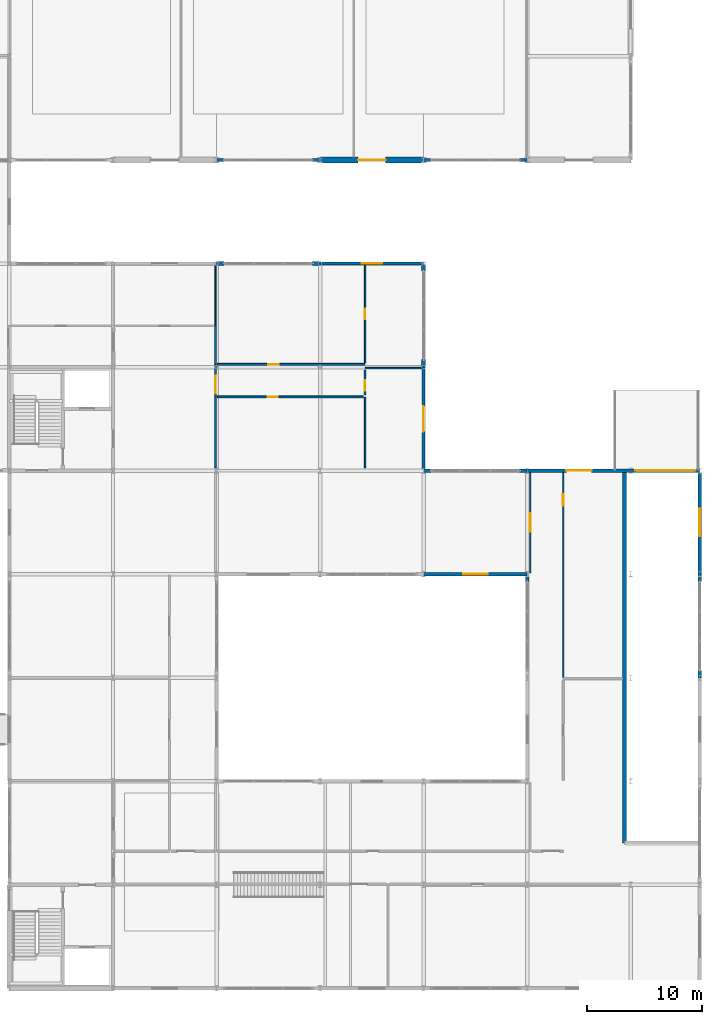
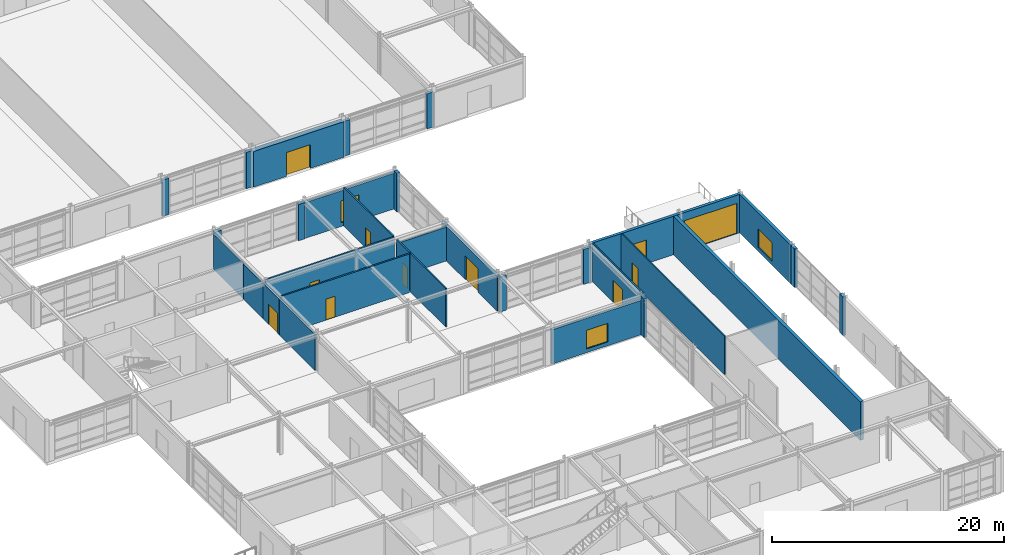
# One storey, part 66 of 72: 33 walls, 11 doors, 3 windows, 14 openings.
"""IFC4 building model written with IfcOpenShell, lengths in metres."""

from ifc_helpers import new_model, si_unit, direction, frame, frame_2d, origin, place, context, subcontext, project, spatial, rectangle, extrude, material, layer, layer_set, type_object, element, fill, save


model = new_model("IFC4")

# Units and contexts
model_context = context("Model", 3, precision=1e-05, world=origin(), true_north=direction((0.0, 1.0)))
body_context = subcontext(model_context, "Body", "Model", "MODEL_VIEW")
ifc_project = project(units=[si_unit("LENGTHUNIT", "METRE"), si_unit("AREAUNIT", "SQUARE_METRE"), si_unit("VOLUMEUNIT", "CUBIC_METRE"), si_unit("PLANEANGLEUNIT", "RADIAN"), si_unit("MASSUNIT", "GRAM", prefix="KILO")], contexts=[model_context])

# Site, building, storey
site_placement = place(None, origin())
site = spatial("IfcSite", under=ifc_project, at=site_placement, CompositionType="ELEMENT")
building_placement = place(site_placement, origin())
building = spatial("IfcBuilding", under=site, at=building_placement, Name="Palais des Congres Ocreval", CompositionType="ELEMENT")
storey_placement = place(building_placement, origin())
storey = spatial("IfcBuildingStorey", under=building, at=storey_placement, Name="L00", CompositionType="ELEMENT", Elevation=0.0)

# Wall, opening, door
ifc_material_1 = material(Name="Concrete C40/50", Category="concrete")
ifc_layer_1 = layer(ifc_material_1, 0.5)
ifc_layer_set_1 = layer_set([ifc_layer_1], Name="Acoustic Ballroom Wall 500 Concrete C40/50")
wall_type_1 = type_object("IfcWallType", Name="Acoustic Ballroom Wall 500 Concrete C40/50", PredefinedType="SOLIDWALL", material=ifc_layer_set_1)
wall_1_placement = place(storey_placement, frame((144.0, 72.0, 0.0), z_axis=(0.0, 0.0, 1.0), x_axis=(-1.0, 0.0, 0.0)))
wall_1 = element("IfcWall", 1, at=wall_1_placement, inside=storey, type_object=wall_type_1, Name="Exterior Wall EW01 L00", PredefinedType="SOLIDWALL", context=body_context, shape_type="SweptSolid", body=[
    extrude(rectangle(XDim=9.0, YDim=0.5, at=frame_2d((4.5, 0.0))), origin(), (0.0, 0.0, 1.0), 3.7548828125),
])
opening_1_placement = place(wall_1_placement, frame((3.300048828125, 0.0, 0.0)))
opening_1 = element("IfcOpeningElement", 2, at=opening_1_placement, cuts=wall_1, Name="Opening ED03", PredefinedType="OPENING", context=body_context, shape_type="SweptSolid", body=[
    extrude(rectangle(XDim=2.39990234375, YDim=2.5, at=frame_2d((1.199951171875, 1.25))), frame((0.0, 0.260009765625, 0.0), z_axis=(0.0, -1.0, 0.0), x_axis=(1.0, 0.0, 0.0)), (0.0, 0.0, 1.0), 0.52001953125),
])
ifc_material_2 = material(Name="Anodized bronze aluminium and safety glass", Category="aluminium")
door_type_1 = type_object("IfcDoorType", Name="Ballroom Final Exit Door 2400x2500", OperationType="NOTDEFINED", PredefinedType="DOOR", material=ifc_material_2)
door_1_placement = place(opening_1_placement, origin())
door_1 = element("IfcDoor", 3, at=door_1_placement, inside=storey, type_object=door_type_1, Name="Pedestrian Final Exit Door E24", OperationType="DOUBLE_DOOR_SINGLE_SWING", OverallHeight=2.5, OverallWidth=2.39990234375, PredefinedType="DOOR", context=body_context, shape_type="SweptSolid", body=[
    extrude(rectangle(XDim=2.39990234375, YDim=2.5, at=frame_2d((1.199951171875, 1.25))), frame((0.0, 0.02490234375, 0.0), z_axis=(0.0, -1.0, 0.0), x_axis=(1.0, 0.0, 0.0)), (0.0, 0.0, 1.0), 0.050048828125),
])
fill(opening_1, door_1)

# Wall
ifc_material_3 = material(Name="Moisture-resistant gypsum board")
ifc_layer_2 = layer(ifc_material_3, 0.139892578125)
ifc_layer_set_2 = layer_set([ifc_layer_2], Name="Bathroom Plumbing Chase Wall 140 Gypsum (Moisture-resistant gypsum board)")
wall_type_2 = type_object("IfcWallType", Name="Bathroom Plumbing Chase Wall 140 Gypsum", PredefinedType="PLUMBINGWALL", material=ifc_layer_set_2)
wall_2_placement = place(storey_placement, frame((138.919921875, 53.909912109375, 0.0), z_axis=(0.0, 0.0, 1.0), x_axis=(1.0, 0.0, 0.0)))
element("IfcWall", 4, at=wall_2_placement, inside=storey, type_object=wall_type_2, Name="Interior Partition PW03 L00", PredefinedType="PLUMBINGWALL", context=body_context, shape_type="SweptSolid", body=[
    extrude(rectangle(XDim=4.945068359375, YDim=0.139892578125, at=frame_2d((2.47265625, 0.0))), origin(), (0.0, 0.0, 1.0), 3.56494140625),
])

# Wall, opening, door
wall_3_placement = place(storey_placement, frame((138.909912109375, 54.389892578125, 0.0), z_axis=(0.0, 0.0, 1.0), x_axis=(0.0, 1.0, 0.0)))
wall_3 = element("IfcWall", 5, at=wall_3_placement, inside=storey, type_object=wall_type_2, Name="Interior Partition PW03 L00", PredefinedType="PLUMBINGWALL", context=body_context, shape_type="SweptSolid", body=[
    extrude(rectangle(XDim=8.47509765625, YDim=0.139892578125, at=frame_2d((4.237548828125, 0.0))), origin(), (0.0, 0.0, 1.0), 4.054931640625),
])
opening_2_placement = place(wall_3_placement, frame((3.78759765625, 0.0, 0.0)))
opening_2 = element("IfcOpeningElement", 6, at=opening_2_placement, cuts=wall_3, Name="Opening D09", PredefinedType="OPENING", context=body_context, shape_type="SweptSolid", body=[
    extrude(rectangle(XDim=0.89990234375, YDim=2.10009765625, at=frame_2d((0.449951171875, 1.050048828125))), frame((0.0, 0.079833984375, 0.0), z_axis=(0.0, -1.0, 0.0), x_axis=(1.0, 0.0, 0.0)), (0.0, 0.0, 1.0), 0.159912109375),
])
ifc_material_4 = material(Name="Solid French oak", Category="wood")
door_type_2 = type_object("IfcDoorType", Name="Accessible Restroom Door 900x2100", OperationType="NOTDEFINED", PredefinedType="DOOR", material=ifc_material_4)
door_2_placement = place(opening_2_placement, origin())
door_2 = element("IfcDoor", 7, at=door_2_placement, inside=storey, type_object=door_type_2, Name="Interior Door D09 L00", OperationType="SINGLE_SWING_LEFT", OverallHeight=2.10009765625, OverallWidth=0.89990234375, PredefinedType="DOOR", context=body_context, shape_type="SweptSolid", body=[
    extrude(rectangle(XDim=0.89990234375, YDim=2.10009765625, at=frame_2d((0.449951171875, 1.050048828125))), frame((0.0, 0.02490234375, 0.0), z_axis=(0.0, -1.0, 0.0), x_axis=(1.0, 0.0, 0.0)), (0.0, 0.0, 1.0), 0.050048828125),
])
fill(opening_2, door_2)

# Walls
ifc_material_5 = material(Name="Gypsum acoustic partition")
ifc_layer_3 = layer(ifc_material_5, 0.159912109375)
ifc_layer_set_3 = layer_set([ifc_layer_3], Name="Corridor Fire Partition 160 Gypsum (Gypsum acoustic partition)")
wall_type_3 = type_object("IfcWallType", Name="Corridor Fire Partition 160 Gypsum", PredefinedType="PARTITIONING", material=ifc_layer_set_3)
wall_4_placement = place(storey_placement, frame((125.909912109375, 45.27001953125, 0.0), z_axis=(0.0, 0.0, 1.0), x_axis=(0.0, 1.0, 0.0)))
element("IfcWall", 8, at=wall_4_placement, inside=storey, type_object=wall_type_3, Name="Interior Partition IW03 L00", PredefinedType="PARTITIONING", context=body_context, shape_type="SweptSolid", body=[
    extrude(rectangle(XDim=6.1298828125, YDim=0.159912109375, at=frame_2d((3.06494140625, 0.0))), origin(), (0.0, 0.0, 1.0), 3.764892578125),
])
wall_5_placement = place(storey_placement, frame((125.909912109375, 54.239990234375, 0.0), z_axis=(0.0, 0.0, 1.0), x_axis=(0.0, 1.0, 0.0)))
element("IfcWall", 9, at=wall_5_placement, inside=storey, type_object=wall_type_3, Name="Interior Partition IW03 L00", PredefinedType="PARTITIONING", context=body_context, shape_type="SweptSolid", body=[
    extrude(rectangle(XDim=3.340087890625, YDim=0.159912109375, at=frame_2d((1.669921875, 0.0))), origin(), (0.0, 0.0, 1.0), 3.72509765625),
])

# Wall, opening, door
wall_6_placement = place(storey_placement, frame((125.909912109375, 51.419921875, 0.0), z_axis=(0.0, 0.0, 1.0), x_axis=(0.0, 1.0, 0.0)))
wall_6 = element("IfcWall", 10, at=wall_6_placement, inside=storey, type_object=wall_type_3, Name="Interior Partition IW03 L00", PredefinedType="PARTITIONING", context=body_context, shape_type="SweptSolid", body=[
    extrude(rectangle(XDim=2.81005859375, YDim=0.159912109375, at=frame_2d((1.405029296875, 0.0))), origin(), (0.0, 0.0, 1.0), 3.764892578125),
])
opening_3_placement = place(wall_6_placement, frame((0.31787109375, 0.0, 0.0)))
opening_3 = element("IfcOpeningElement", 11, at=opening_3_placement, cuts=wall_6, Name="Opening D04", PredefinedType="OPENING", context=body_context, shape_type="SweptSolid", body=[
    extrude(rectangle(XDim=1.5, YDim=2.10009765625, at=frame_2d((0.75, 1.050048828125))), frame((0.0, 0.08984375, 0.0), z_axis=(0.0, -1.0, 0.0), x_axis=(1.0, 0.0, 0.0)), (0.0, 0.0, 1.0), 0.179931640625),
])
ifc_material_6 = material(Name="Solid French oak fire door", Category="wood")
door_type_3 = type_object("IfcDoorType", Name="Corridor Compartment Double Door 1500x2100", OperationType="NOTDEFINED", PredefinedType="DOOR", material=ifc_material_6)
door_3_placement = place(opening_3_placement, origin())
door_3 = element("IfcDoor", 12, at=door_3_placement, inside=storey, type_object=door_type_3, Name="Interior Door D04 L00", OperationType="DOUBLE_DOOR_SINGLE_SWING", OverallHeight=2.10009765625, OverallWidth=1.5, PredefinedType="DOOR", context=body_context, shape_type="SweptSolid", body=[
    extrude(rectangle(XDim=1.5, YDim=2.10009765625, at=frame_2d((0.75, 1.050048828125))), frame((0.0, 0.02490234375, 0.0), z_axis=(0.0, -1.0, 0.0), x_axis=(1.0, 0.0, 0.0)), (0.0, 0.0, 1.0), 0.050048828125),
])
fill(opening_3, door_3)

wall_7_placement = place(storey_placement, frame((126.06494140625, 51.409912109375, 0.0), z_axis=(0.0, 0.0, 1.0), x_axis=(1.0, 0.0, 0.0)))
wall_7 = element("IfcWall", 13, at=wall_7_placement, inside=storey, type_object=wall_type_3, Name="Interior Partition IW03 L00", PredefinedType="PARTITIONING", context=body_context, shape_type="SweptSolid", body=[
    extrude(rectangle(XDim=12.68994140625, YDim=0.159912109375, at=frame_2d((6.344970703125, 0.0))), origin(), (0.0, 0.0, 1.0), 4.054931640625),
])
opening_4_placement = place(wall_7_placement, frame((4.372314453125, 0.0, 0.0)))
opening_4 = element("IfcOpeningElement", 14, at=opening_4_placement, cuts=wall_7, Name="Opening D11", PredefinedType="OPENING", context=body_context, shape_type="SweptSolid", body=[
    extrude(rectangle(XDim=0.89990234375, YDim=2.199951171875, at=frame_2d((0.449951171875, 1.10009765625))), frame((0.0, 0.08984375, 0.0), z_axis=(0.0, -1.0, 0.0), x_axis=(1.0, 0.0, 0.0)), (0.0, 0.0, 1.0), 0.179931640625),
])
door_type_4 = type_object("IfcDoorType", Name="Spa Treatment Cabin Door 900x2200", OperationType="NOTDEFINED", PredefinedType="DOOR", material=ifc_material_4)
door_4_placement = place(opening_4_placement, origin())
door_4 = element("IfcDoor", 15, at=door_4_placement, inside=storey, type_object=door_type_4, Name="Interior Door D11 L00", OperationType="SINGLE_SWING_LEFT", OverallHeight=2.199951171875, OverallWidth=0.89990234375, PredefinedType="DOOR", context=body_context, shape_type="SweptSolid", body=[
    extrude(rectangle(XDim=0.89990234375, YDim=2.199951171875, at=frame_2d((0.449951171875, 1.10009765625))), frame((0.0, 0.02490234375, 0.0), z_axis=(0.0, -1.0, 0.0), x_axis=(1.0, 0.0, 0.0)), (0.0, 0.0, 1.0), 0.050048828125),
])
fill(opening_4, door_4)

wall_8_placement = place(storey_placement, frame((126.06494140625, 54.235107421875, 0.0), z_axis=(0.0, 0.0, 1.0), x_axis=(1.0, 0.0, 0.0)))
wall_8 = element("IfcWall", 16, at=wall_8_placement, inside=storey, type_object=wall_type_3, Name="Interior Partition IW03 L00", PredefinedType="PARTITIONING", context=body_context, shape_type="SweptSolid", body=[
    extrude(rectangle(XDim=12.8349609375, YDim=0.159912109375, at=frame_2d((6.41748046875, 0.0))), origin(), (0.0, 0.0, 1.0), 4.054931640625),
])
opening_5_placement = place(wall_8_placement, frame((4.42724609375, 0.0, 0.0)))
opening_5 = element("IfcOpeningElement", 17, at=opening_5_placement, cuts=wall_8, Name="Opening D11", PredefinedType="OPENING", context=body_context, shape_type="SweptSolid", body=[
    extrude(rectangle(XDim=0.89990234375, YDim=2.199951171875, at=frame_2d((0.449951171875, 1.10009765625))), frame((0.0, 0.08984375, 0.0), z_axis=(0.0, -1.0, 0.0), x_axis=(1.0, 0.0, 0.0)), (0.0, 0.0, 1.0), 0.179931640625),
])
door_5_placement = place(opening_5_placement, origin())
door_5 = element("IfcDoor", 18, at=door_5_placement, inside=storey, type_object=door_type_4, Name="Interior Door D11 L00", OperationType="SINGLE_SWING_RIGHT", OverallHeight=2.199951171875, OverallWidth=0.89990234375, PredefinedType="DOOR", context=body_context, shape_type="SweptSolid", body=[
    extrude(rectangle(XDim=0.89990234375, YDim=2.199951171875, at=frame_2d((0.449951171875, 1.10009765625))), frame((0.0, 0.02490234375, 0.0), z_axis=(0.0, -1.0, 0.0), x_axis=(1.0, 0.0, 0.0)), (0.0, 0.0, 1.0), 0.050048828125),
])
fill(opening_5, door_5)

wall_9_placement = place(storey_placement, frame((138.909912109375, 51.56494140625, 0.0), z_axis=(0.0, 0.0, 1.0), x_axis=(0.0, 1.0, 0.0)))
wall_9 = element("IfcWall", 19, at=wall_9_placement, inside=storey, type_object=wall_type_3, Name="Interior Partition IW03 L00", PredefinedType="PARTITIONING", context=body_context, shape_type="SweptSolid", body=[
    extrude(rectangle(XDim=2.18994140625, YDim=0.159912109375, at=frame_2d((1.094970703125, 0.0))), origin(), (0.0, 0.0, 1.0), 4.054931640625),
])
opening_6_placement = place(wall_9_placement, frame((0.382080078125, 0.0, 0.0)))
opening_6 = element("IfcOpeningElement", 20, at=opening_6_placement, cuts=wall_9, Name="Opening D11", PredefinedType="OPENING", context=body_context, shape_type="SweptSolid", body=[
    extrude(rectangle(XDim=0.89990234375, YDim=2.199951171875, at=frame_2d((0.449951171875, 1.10009765625))), frame((0.0, 0.08984375, 0.0), z_axis=(0.0, -1.0, 0.0), x_axis=(1.0, 0.0, 0.0)), (0.0, 0.0, 1.0), 0.179931640625),
])
door_6_placement = place(opening_6_placement, origin())
door_6 = element("IfcDoor", 21, at=door_6_placement, inside=storey, type_object=door_type_4, Name="Interior Door D11 L00", OperationType="SINGLE_SWING_LEFT", OverallHeight=2.199951171875, OverallWidth=0.89990234375, PredefinedType="DOOR", context=body_context, shape_type="SweptSolid", body=[
    extrude(rectangle(XDim=0.89990234375, YDim=2.199951171875, at=frame_2d((0.449951171875, 1.10009765625))), frame((0.0, 0.02490234375, 0.0), z_axis=(0.0, -1.0, 0.0), x_axis=(1.0, 0.0, 0.0)), (0.0, 0.0, 1.0), 0.050048828125),
])
fill(opening_6, door_6)

# Walls
ifc_layer_4 = layer(ifc_material_1, 0.340087890625)
ifc_layer_set_4 = layer_set([ifc_layer_4], Name="Ochre Mineral-Lime Courtyard Wall 340 Concrete C40/50")
wall_type_4 = type_object("IfcWallType", Name="Ochre Mineral-Lime Courtyard Wall 340 Concrete C40/50", PredefinedType="SOLIDWALL", material=ifc_layer_set_4)
for number, where, z_axis, x_axis, name in (
    (22, (126.0, 63.0, 0.0), (0.0, 0.0, 1.0), (1.0, 0.0, 0.0), "Facade Pier EW04 L00"),
    (23, (134.35009765625, 63.0, 0.0), (0.0, 0.0, 1.0), (1.0, 0.0, 0.0), "Facade Pier EW04 L00"),
):
    element("IfcWall", number, at=place(storey_placement, frame(where, z_axis=z_axis, x_axis=x_axis)), inside=storey, type_object=wall_type_4, Name=name, PredefinedType="SOLIDWALL", context=body_context, shape_type="SweptSolid", body=[
        extrude(rectangle(XDim=0.64990234375, YDim=0.340087890625, at=frame_2d((0.324951171875, 0.0))), origin(), (0.0, 0.0, 1.0), 3.824951171875),
    ])
wall_10_placement = place(storey_placement, frame((144.0, 62.844970703125, 0.0), z_axis=(0.0, 0.0, 1.0), x_axis=(0.0, -1.0, 0.0)))
element("IfcWall", 24, at=wall_10_placement, inside=storey, type_object=wall_type_4, Name="Facade Pier EW04 L00", PredefinedType="SOLIDWALL", context=body_context, shape_type="SweptSolid", body=[
    extrude(rectangle(XDim=0.494873046875, YDim=0.340087890625, at=frame_2d((0.24755859375, 0.0))), origin(), (0.0, 0.0, 1.0), 4.054931640625),
])
wall_11_placement = place(storey_placement, frame((144.0, 54.64990234375, 0.0), z_axis=(0.0, 0.0, 1.0), x_axis=(0.0, -1.0, 0.0)))
element("IfcWall", 25, at=wall_11_placement, inside=storey, type_object=wall_type_4, Name="Facade Pier EW04 L00", PredefinedType="SOLIDWALL", context=body_context, shape_type="SweptSolid", body=[
    extrude(rectangle(XDim=0.64990234375, YDim=0.340087890625, at=frame_2d((0.324951171875, 0.0))), origin(), (0.0, 0.0, 1.0), 3.614990234375),
])
ifc_layer_5 = layer(ifc_material_1, 0.320068359375)
ifc_layer_set_5 = layer_set([ifc_layer_5], Name="Ramp and Hoistway Shear Wall 320 Concrete C40/50")
wall_type_5 = type_object("IfcWallType", Name="Ramp and Hoistway Shear Wall 320 Concrete C40/50", PredefinedType="SHEAR", material=ifc_layer_set_5)
wall_12_placement = place(storey_placement, frame((161.449951171875, 12.64990234375, 0.0), z_axis=(0.0, 0.0, 1.0), x_axis=(0.0, 1.0, 0.0)))
element("IfcWall", 26, at=wall_12_placement, inside=storey, type_object=wall_type_5, Name="Vehicle Ramp West Shaft Wall L00", PredefinedType="SHEAR", context=body_context, shape_type="SweptSolid", body=[
    extrude(rectangle(XDim=32.35009765625, YDim=0.320068359375, at=frame_2d((16.175048828125, 0.0))), origin(), (0.0, 0.0, 1.0), 4.054931640625),
])

# Wall, opening, window
ifc_layer_6 = layer(ifc_material_1, 0.260009765625)
ifc_layer_set_6 = layer_set([ifc_layer_6], Name="Sawtooth Clerestory Wall 260 Concrete C40/50")
wall_type_6 = type_object("IfcWallType", Name="Sawtooth Clerestory Wall 260 Concrete C40/50", PredefinedType="SOLIDWALL", material=ifc_layer_set_6)
wall_13_placement = place(storey_placement, frame((135.0, 63.0, 0.0), z_axis=(0.0, 0.0, 1.0), x_axis=(1.0, 0.0, 0.0)))
wall_13 = element("IfcWall", 27, at=wall_13_placement, inside=storey, type_object=wall_type_6, Name="Exterior Wall EW06 L00", PredefinedType="SOLIDWALL", context=body_context, shape_type="SweptSolid", body=[
    extrude(rectangle(XDim=9.0, YDim=0.260009765625, at=frame_2d((4.5, 0.0))), origin(), (0.0, 0.0, 1.0), 3.7548828125),
])
opening_7_placement = place(wall_13_placement, frame((3.60009765625, 0.0, 0.39990234375)))
opening_7 = element("IfcOpeningElement", 28, at=opening_7_placement, cuts=wall_13, Name="Opening WN12", PredefinedType="OPENING", context=body_context, shape_type="SweptSolid", body=[
    extrude(rectangle(XDim=1.800048828125, YDim=2.300048828125, at=frame_2d((0.89990234375, 1.14990234375))), frame((0.0, 0.139892578125, 0.0), z_axis=(0.0, -1.0, 0.0), x_axis=(1.0, 0.0, 0.0)), (0.0, 0.0, 1.0), 0.280029296875),
])
ifc_material_7 = material(Name="Anodized bronze aluminium and low-E glass", Category="glass")
window_type_1 = type_object("IfcWindowType", Name="Gastronomy Mezzanine Window 1800x2300", PartitioningType="SINGLE_PANEL", PredefinedType="WINDOW", material=ifc_material_7)
window_1_placement = place(opening_7_placement, origin())
window_1 = element("IfcWindow", 29, at=window_1_placement, inside=storey, type_object=window_type_1, Name="Facade Window WN12", OverallHeight=2.300048828125, OverallWidth=1.800048828125, PartitioningType="SINGLE_PANEL", PredefinedType="WINDOW", context=body_context, shape_type="SweptSolid", body=[
    extrude(rectangle(XDim=1.800048828125, YDim=2.300048828125, at=frame_2d((0.89990234375, 1.14990234375))), frame((0.0, 0.030029296875, 0.0), z_axis=(0.0, -1.0, 0.0), x_axis=(1.0, 0.0, 0.0)), (0.0, 0.0, 1.0), 0.06005859375),
])
fill(opening_7, window_1)

# Wall, opening, door
wall_14_placement = place(storey_placement, frame((144.0, 54.0, 0.0), z_axis=(0.0, 0.0, 1.0), x_axis=(0.0, -1.0, 0.0)))
wall_14 = element("IfcWall", 30, at=wall_14_placement, inside=storey, type_object=wall_type_6, Name="Exterior Wall EW06 L00", PredefinedType="SOLIDWALL", context=body_context, shape_type="SweptSolid", body=[
    extrude(rectangle(XDim=8.844970703125, YDim=0.260009765625, at=frame_2d((4.42236328125, 0.0))), origin(), (0.0, 0.0, 1.0), 3.6650390625),
])
opening_8_placement = place(wall_14_placement, frame((3.39990234375, 0.0, 0.0)))
opening_8 = element("IfcOpeningElement", 31, at=opening_8_placement, cuts=wall_14, Name="Opening ED02", PredefinedType="OPENING", context=body_context, shape_type="SweptSolid", body=[
    extrude(rectangle(XDim=2.199951171875, YDim=2.5, at=frame_2d((1.10009765625, 1.25))), frame((0.0, 0.139892578125, 0.0), z_axis=(0.0, -1.0, 0.0), x_axis=(1.0, 0.0, 0.0)), (0.0, 0.0, 1.0), 0.280029296875),
])
door_type_5 = type_object("IfcDoorType", Name="Congress Grand Final Exit Door 2200x2500", OperationType="NOTDEFINED", PredefinedType="DOOR", material=ifc_material_2)
door_7_placement = place(opening_8_placement, origin())
door_7 = element("IfcDoor", 32, at=door_7_placement, inside=storey, type_object=door_type_5, Name="Pedestrian Final Exit Door E28", OperationType="DOUBLE_DOOR_SINGLE_SWING", OverallHeight=2.5, OverallWidth=2.199951171875, PredefinedType="DOOR", context=body_context, shape_type="SweptSolid", body=[
    extrude(rectangle(XDim=2.199951171875, YDim=2.5, at=frame_2d((1.10009765625, 1.25))), frame((0.0, 0.02490234375, 0.0), z_axis=(0.0, -1.0, 0.0), x_axis=(1.0, 0.0, 0.0)), (0.0, 0.0, 1.0), 0.050048828125),
])
fill(opening_8, door_7)

# Walls
ifc_material_8 = material(Name="Gypsum board partition")
ifc_layer_7 = layer(ifc_material_8, 0.1201171875)
ifc_layer_set_7 = layer_set([ifc_layer_7], Name="Suite Subdivision Partition 120 Gypsum (Gypsum board partition)")
wall_type_7 = type_object("IfcWallType", Name="Suite Subdivision Partition 120 Gypsum", PredefinedType="PARTITIONING", material=ifc_layer_set_7)
wall_15_placement = place(storey_placement, frame((125.909912109375, 57.60009765625, 0.0), z_axis=(0.0, 0.0, 1.0), x_axis=(0.0, 1.0, 0.0)))
element("IfcWall", 33, at=wall_15_placement, inside=storey, type_object=wall_type_7, Name="Interior Partition IW04 L00", PredefinedType="PARTITIONING", context=body_context, shape_type="SweptSolid", body=[
    extrude(rectangle(XDim=5.224853515625, YDim=0.1201171875, at=frame_2d((2.6123046875, 0.0))), origin(), (0.0, 0.0, 1.0), 3.72509765625),
])
wall_16_placement = place(storey_placement, frame((138.909912109375, 45.27001953125, 0.0), z_axis=(0.0, 0.0, 1.0), x_axis=(0.0, 1.0, 0.0)))
element("IfcWall", 34, at=wall_16_placement, inside=storey, type_object=wall_type_7, Name="Interior Partition IW04 L00", PredefinedType="PARTITIONING", context=body_context, shape_type="SweptSolid", body=[
    extrude(rectangle(XDim=6.1298828125, YDim=0.1201171875, at=frame_2d((3.06494140625, 0.0))), origin(), (0.0, 0.0, 1.0), 4.054931640625),
])

# Wall, opening, door
wall_17_placement = place(storey_placement, frame((153.264892578125, 36.14501953125, 0.0), z_axis=(0.0, 0.0, 1.0), x_axis=(0.0, 1.0, 0.0)))
wall_17 = element("IfcWall", 35, at=wall_17_placement, inside=storey, type_object=wall_type_7, Name="Interior Partition IW04 L00", PredefinedType="PARTITIONING", context=body_context, shape_type="SweptSolid", body=[
    extrude(rectangle(XDim=8.7099609375, YDim=0.1201171875, at=frame_2d((4.35498046875, 0.0))), origin(), (0.0, 0.0, 1.0), 4.054931640625),
])
opening_9_placement = place(wall_17_placement, frame((3.554931640625, 0.0, 0.0)))
opening_9 = element("IfcOpeningElement", 36, at=opening_9_placement, cuts=wall_17, Name="Opening D12", PredefinedType="OPENING", context=body_context, shape_type="SweptSolid", body=[
    extrude(rectangle(XDim=1.60009765625, YDim=2.300048828125, at=frame_2d((0.800048828125, 1.14990234375))), frame((0.0, 0.070068359375, 0.0), z_axis=(0.0, -1.0, 0.0), x_axis=(1.0, 0.0, 0.0)), (0.0, 0.0, 1.0), 0.14013671875),
])
door_type_6 = type_object("IfcDoorType", Name="Meeting Room Acoustic Double Door 1600x2300", OperationType="NOTDEFINED", PredefinedType="DOOR", material=ifc_material_4)
door_8_placement = place(opening_9_placement, origin())
door_8 = element("IfcDoor", 37, at=door_8_placement, inside=storey, type_object=door_type_6, Name="Interior Door D12 L00", OperationType="DOUBLE_DOOR_SINGLE_SWING", OverallHeight=2.300048828125, OverallWidth=1.60009765625, PredefinedType="DOOR", context=body_context, shape_type="SweptSolid", body=[
    extrude(rectangle(XDim=1.60009765625, YDim=2.300048828125, at=frame_2d((0.800048828125, 1.14990234375))), frame((0.0, 0.02490234375, 0.0), z_axis=(0.0, -1.0, 0.0), x_axis=(1.0, 0.0, 0.0)), (0.0, 0.0, 1.0), 0.050048828125),
])
fill(opening_9, door_8)

wall_18_placement = place(storey_placement, frame((156.135009765625, 27.06494140625, 0.0), z_axis=(0.0, 0.0, 1.0), x_axis=(0.0, 1.0, 0.0)))
wall_18 = element("IfcWall", 38, at=wall_18_placement, inside=storey, type_object=wall_type_7, Name="Interior Partition IW04 L00", PredefinedType="PARTITIONING", context=body_context, shape_type="SweptSolid", body=[
    extrude(rectangle(XDim=17.7900390625, YDim=0.1201171875, at=frame_2d((8.89501953125, 0.0))), origin(), (0.0, 0.0, 1.0), 4.054931640625),
])
opening_10_placement = place(wall_18_placement, frame((14.889892578125, 0.0, 0.0)))
opening_10 = element("IfcOpeningElement", 39, at=opening_10_placement, cuts=wall_18, Name="Opening D10", PredefinedType="OPENING", context=body_context, shape_type="SweptSolid", body=[
    extrude(rectangle(XDim=1.0, YDim=2.10009765625, at=frame_2d((0.5, 1.050048828125))), frame((0.0, 0.070068359375, 0.0), z_axis=(0.0, -1.0, 0.0), x_axis=(1.0, 0.0, 0.0)), (0.0, 0.0, 1.0), 0.14013671875),
])
ifc_material_9 = material(Name="Painted steel", Category="steel")
door_type_7 = type_object("IfcDoorType", Name="Service and Pantry Door 1000x2100", OperationType="NOTDEFINED", PredefinedType="DOOR", material=ifc_material_9)
door_9_placement = place(opening_10_placement, origin())
door_9 = element("IfcDoor", 40, at=door_9_placement, inside=storey, type_object=door_type_7, Name="Interior Door D10 L00", OperationType="SINGLE_SWING_LEFT", OverallHeight=2.10009765625, OverallWidth=1.0, PredefinedType="DOOR", context=body_context, shape_type="SweptSolid", body=[
    extrude(rectangle(XDim=1.0, YDim=2.10009765625, at=frame_2d((0.5, 1.050048828125))), frame((0.0, 0.02490234375, 0.0), z_axis=(0.0, -1.0, 0.0), x_axis=(1.0, 0.0, 0.0)), (0.0, 0.0, 1.0), 0.050048828125),
])
fill(opening_10, door_9)

# Walls
ifc_layer_8 = layer(ifc_material_1, 0.280029296875)
ifc_layer_set_8 = layer_set([ifc_layer_8], Name="Terracotta Mineral-Lime Facade Wall 280 Concrete C40/50")
wall_type_8 = type_object("IfcWallType", Name="Terracotta Mineral-Lime Facade Wall 280 Concrete C40/50", PredefinedType="SOLIDWALL", material=ifc_layer_set_8)
for number, where, z_axis, x_axis, name in (
    (41, (153.0, 72.0, 0.0), (0.0, 0.0, 1.0), (-1.0, 0.0, 0.0), "Facade Pier EW05 L00"),
    (42, (144.64990234375, 72.0, 0.0), (0.0, 0.0, 1.0), (-1.0, 0.0, 0.0), "Facade Pier EW05 L00"),
):
    element("IfcWall", number, at=place(storey_placement, frame(where, z_axis=z_axis, x_axis=x_axis)), inside=storey, type_object=wall_type_8, Name=name, PredefinedType="SOLIDWALL", context=body_context, shape_type="SweptSolid", body=[
        extrude(rectangle(XDim=0.64990234375, YDim=0.280029296875, at=frame_2d((0.324951171875, 0.0))), origin(), (0.0, 0.0, 1.0), 3.695068359375),
    ])
for number, where, z_axis, x_axis, name in (
    (43, (135.0, 72.0, 0.0), (0.0, 0.0, 1.0), (-1.0, 0.0, 0.0), "Facade Pier EW05 L00"),
    (44, (126.64990234375, 72.0, 0.0), (0.0, 0.0, 1.0), (-1.0, 0.0, 0.0), "Facade Pier EW05 L00"),
):
    element("IfcWall", number, at=place(storey_placement, frame(where, z_axis=z_axis, x_axis=x_axis)), inside=storey, type_object=wall_type_8, Name=name, PredefinedType="SOLIDWALL", context=body_context, shape_type="SweptSolid", body=[
        extrude(rectangle(XDim=0.64990234375, YDim=0.280029296875, at=frame_2d((0.324951171875, 0.0))), origin(), (0.0, 0.0, 1.0), 3.824951171875),
    ])
for number, where, z_axis, x_axis, name in (
    (45, (144.0, 45.0, 0.0), (0.0, 0.0, 1.0), (1.0, 0.0, 0.0), "Facade Pier EW05 L00"),
    (46, (152.35009765625, 45.0, 0.0), (0.0, 0.0, 1.0), (1.0, 0.0, 0.0), "Facade Pier EW05 L00"),
):
    element("IfcWall", number, at=place(storey_placement, frame(where, z_axis=z_axis, x_axis=x_axis)), inside=storey, type_object=wall_type_8, Name=name, PredefinedType="SOLIDWALL", context=body_context, shape_type="SweptSolid", body=[
        extrude(rectangle(XDim=0.64990234375, YDim=0.280029296875, at=frame_2d((0.324951171875, 0.0))), origin(), (0.0, 0.0, 1.0), 3.695068359375),
    ])

# Wall, opening, door
wall_19_placement = place(storey_placement, frame((153.0, 45.0, 0.0), z_axis=(0.0, 0.0, 1.0), x_axis=(1.0, 0.0, 0.0)))
wall_19 = element("IfcWall", 47, at=wall_19_placement, inside=storey, type_object=wall_type_8, Name="Exterior Wall EW05 L00", PredefinedType="SOLIDWALL", context=body_context, shape_type="SweptSolid", body=[
    extrude(rectangle(XDim=9.0, YDim=0.280029296875, at=frame_2d((4.5, 0.0))), origin(), (0.0, 0.0, 1.0), 4.054931640625),
])
opening_11_placement = place(wall_19_placement, frame((3.39990234375, 0.0, 0.0)))
opening_11 = element("IfcOpeningElement", 48, at=opening_11_placement, cuts=wall_19, Name="Opening ED02", PredefinedType="OPENING", context=body_context, shape_type="SweptSolid", body=[
    extrude(rectangle(XDim=2.199951171875, YDim=2.5, at=frame_2d((1.10009765625, 1.25))), frame((0.0, 0.14990234375, 0.0), z_axis=(0.0, -1.0, 0.0), x_axis=(1.0, 0.0, 0.0)), (0.0, 0.0, 1.0), 0.300048828125),
])
door_10_placement = place(opening_11_placement, origin())
door_10 = element("IfcDoor", 49, at=door_10_placement, inside=storey, type_object=door_type_5, Name="Pedestrian Final Exit Door E29", OperationType="DOUBLE_DOOR_SINGLE_SWING", OverallHeight=2.5, OverallWidth=2.199951171875, PredefinedType="DOOR", context=body_context, shape_type="SweptSolid", body=[
    extrude(rectangle(XDim=2.199951171875, YDim=2.5, at=frame_2d((1.10009765625, 1.25))), frame((0.0, 0.02490234375, 0.0), z_axis=(0.0, -1.0, 0.0), x_axis=(1.0, 0.0, 0.0)), (0.0, 0.0, 1.0), 0.050048828125),
])
fill(opening_11, door_10)

wall_20_placement = place(storey_placement, frame((162.0, 45.0, 0.0), z_axis=(0.0, 0.0, 1.0), x_axis=(1.0, 0.0, 0.0)))
wall_20 = element("IfcWall", 50, at=wall_20_placement, inside=storey, type_object=wall_type_8, Name="Exterior Wall EW05 L00", PredefinedType="SOLIDWALL", context=body_context, shape_type="SweptSolid", body=[
    extrude(rectangle(XDim=6.0, YDim=0.280029296875, at=frame_2d((3.0, 0.0))), origin(), (0.0, 0.0, 1.0), 4.054931640625),
])
opening_12_placement = place(wall_20_placement, frame((0.39990234375, 0.0, 0.0)))
opening_12 = element("IfcOpeningElement", 51, at=opening_12_placement, cuts=wall_20, Name="Opening VG01", PredefinedType="OPENING", context=body_context, shape_type="SweptSolid", body=[
    extrude(rectangle(XDim=5.199951171875, YDim=3.199951171875, at=frame_2d((2.60009765625, 1.60009765625))), frame((0.0, 0.14990234375, 0.0), z_axis=(0.0, -1.0, 0.0), x_axis=(1.0, 0.0, 0.0)), (0.0, 0.0, 1.0), 0.300048828125),
])
ifc_material_10 = material(Name="Galvanized painted steel", Category="steel")
door_type_8 = type_object("IfcDoorType", Name="Car Park Insulated Roller Gate 5200x3200", OperationType="NOTDEFINED", PredefinedType="GATE", material=ifc_material_10)
door_11_placement = place(opening_12_placement, origin())
door_11 = element("IfcDoor", 52, at=door_11_placement, inside=storey, type_object=door_type_8, Name="Car Park Vehicle Roller Gate VG01", OperationType="ROLLINGUP", OverallHeight=3.199951171875, OverallWidth=5.199951171875, PredefinedType="GATE", context=body_context, shape_type="SweptSolid", body=[
    extrude(rectangle(XDim=5.199951171875, YDim=3.199951171875, at=frame_2d((2.60009765625, 1.60009765625))), frame((0.0, 0.02490234375, 0.0), z_axis=(0.0, -1.0, 0.0), x_axis=(1.0, 0.0, 0.0)), (0.0, 0.0, 1.0), 0.050048828125),
])
fill(opening_12, door_11)

# Wall, opening, window
wall_21_placement = place(storey_placement, frame((168.0, 44.844970703125, 0.0), z_axis=(0.0, 0.0, 1.0), x_axis=(0.0, -1.0, 0.0)))
wall_21 = element("IfcWall", 53, at=wall_21_placement, inside=storey, type_object=wall_type_8, Name="Exterior Wall EW05 L00", PredefinedType="SOLIDWALL", context=body_context, shape_type="SweptSolid", body=[
    extrude(rectangle(XDim=8.844970703125, YDim=0.280029296875, at=frame_2d((4.42236328125, 0.0))), origin(), (0.0, 0.0, 1.0), 4.054931640625),
])
opening_13_placement = place(wall_21_placement, frame((3.14501953125, 0.0, 0.39990234375)))
opening_13 = element("IfcOpeningElement", 54, at=opening_13_placement, cuts=wall_21, Name="Opening WN03", PredefinedType="OPENING", context=body_context, shape_type="SweptSolid", body=[
    extrude(rectangle(XDim=2.39990234375, YDim=1.949951171875, at=frame_2d((1.199951171875, 0.97509765625))), frame((0.0, 0.14990234375, 0.0), z_axis=(0.0, -1.0, 0.0), x_axis=(1.0, 0.0, 0.0)), (0.0, 0.0, 1.0), 0.300048828125),
])
window_type_2 = type_object("IfcWindowType", Name="Suite Panoramic Window 2400x1950", PartitioningType="SINGLE_PANEL", PredefinedType="WINDOW", material=ifc_material_7)
window_2_placement = place(opening_13_placement, origin())
window_2 = element("IfcWindow", 55, at=window_2_placement, inside=storey, type_object=window_type_2, Name="Facade Window WN03", OverallHeight=1.949951171875, OverallWidth=2.39990234375, PartitioningType="SINGLE_PANEL", PredefinedType="WINDOW", context=body_context, shape_type="SweptSolid", body=[
    extrude(rectangle(XDim=2.39990234375, YDim=1.949951171875, at=frame_2d((1.199951171875, 0.97509765625))), frame((0.0, 0.030029296875, 0.0), z_axis=(0.0, -1.0, 0.0), x_axis=(1.0, 0.0, 0.0)), (0.0, 0.0, 1.0), 0.06005859375),
])
fill(opening_13, window_2)

# Walls
for number, where, z_axis, x_axis, name in (
    (56, (168.0, 36.0, 0.0), (0.0, 0.0, 1.0), (0.0, -1.0, 0.0), "Facade Pier EW05 L00"),
    (57, (168.0, 27.64990234375, 0.0), (0.0, 0.0, 1.0), (0.0, -1.0, 0.0), "Facade Pier EW05 L00"),
):
    element("IfcWall", number, at=place(storey_placement, frame(where, z_axis=z_axis, x_axis=x_axis)), inside=storey, type_object=wall_type_8, Name=name, PredefinedType="SOLIDWALL", context=body_context, shape_type="SweptSolid", body=[
        extrude(rectangle(XDim=0.64990234375, YDim=0.280029296875, at=frame_2d((0.324951171875, 0.0))), origin(), (0.0, 0.0, 1.0), 4.054931640625),
    ])
wall_22_placement = place(storey_placement, frame((153.0, 35.35009765625, 0.0), z_axis=(0.0, 0.0, 1.0), x_axis=(0.0, 1.0, 0.0)))
element("IfcWall", 58, at=wall_22_placement, inside=storey, type_object=wall_type_8, Name="Facade Pier EW05 L00", PredefinedType="SOLIDWALL", context=body_context, shape_type="SweptSolid", body=[
    extrude(rectangle(XDim=0.494873046875, YDim=0.280029296875, at=frame_2d((0.24755859375, 0.0))), origin(), (0.0, 0.0, 1.0), 4.054931640625),
])

# Wall, opening, window
wall_23_placement = place(storey_placement, frame((153.0, 36.0, 0.0), z_axis=(0.0, 0.0, 1.0), x_axis=(-1.0, 0.0, 0.0)))
wall_23 = element("IfcWall", 59, at=wall_23_placement, inside=storey, type_object=wall_type_8, Name="Exterior Wall EW05 L00", PredefinedType="SOLIDWALL", context=body_context, shape_type="SweptSolid", body=[
    extrude(rectangle(XDim=9.0, YDim=0.280029296875, at=frame_2d((4.5, 0.0))), origin(), (0.0, 0.0, 1.0), 3.614990234375),
])
opening_14_placement = place(wall_23_placement, frame((3.449951171875, 0.0, 0.39990234375)))
opening_14 = element("IfcOpeningElement", 60, at=opening_14_placement, cuts=wall_23, Name="Opening WN05", PredefinedType="OPENING", context=body_context, shape_type="SweptSolid", body=[
    extrude(rectangle(XDim=2.10009765625, YDim=1.949951171875, at=frame_2d((1.050048828125, 0.97509765625))), frame((0.0, 0.14990234375, 0.0), z_axis=(0.0, -1.0, 0.0), x_axis=(1.0, 0.0, 0.0)), (0.0, 0.0, 1.0), 0.300048828125),
])
window_type_3 = type_object("IfcWindowType", Name="Junior Suite Window 2100x1950", PartitioningType="SINGLE_PANEL", PredefinedType="WINDOW", material=ifc_material_7)
window_3_placement = place(opening_14_placement, origin())
window_3 = element("IfcWindow", 61, at=window_3_placement, inside=storey, type_object=window_type_3, Name="Facade Window WN05", OverallHeight=1.949951171875, OverallWidth=2.10009765625, PartitioningType="SINGLE_PANEL", PredefinedType="WINDOW", context=body_context, shape_type="SweptSolid", body=[
    extrude(rectangle(XDim=2.10009765625, YDim=1.949951171875, at=frame_2d((1.050048828125, 0.97509765625))), frame((0.0, 0.030029296875, 0.0), z_axis=(0.0, -1.0, 0.0), x_axis=(1.0, 0.0, 0.0)), (0.0, 0.0, 1.0), 0.06005859375),
])
fill(opening_14, window_3)

save(model, "model.ifc")
